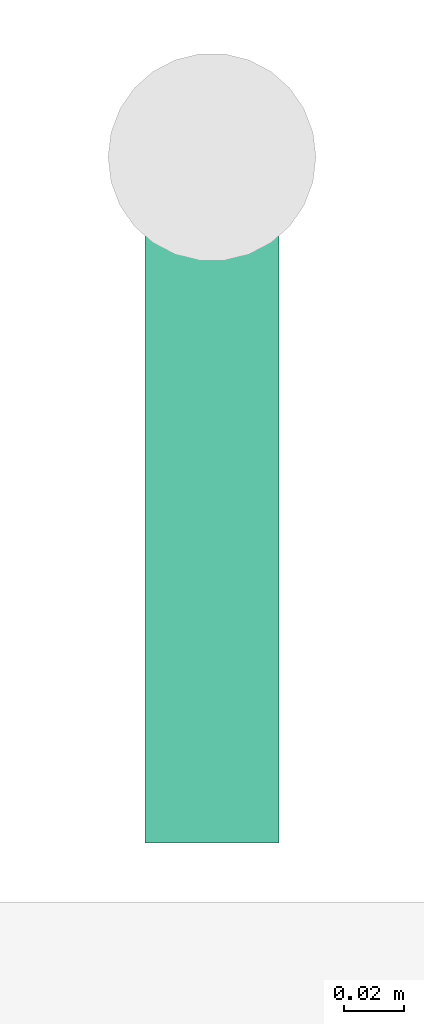
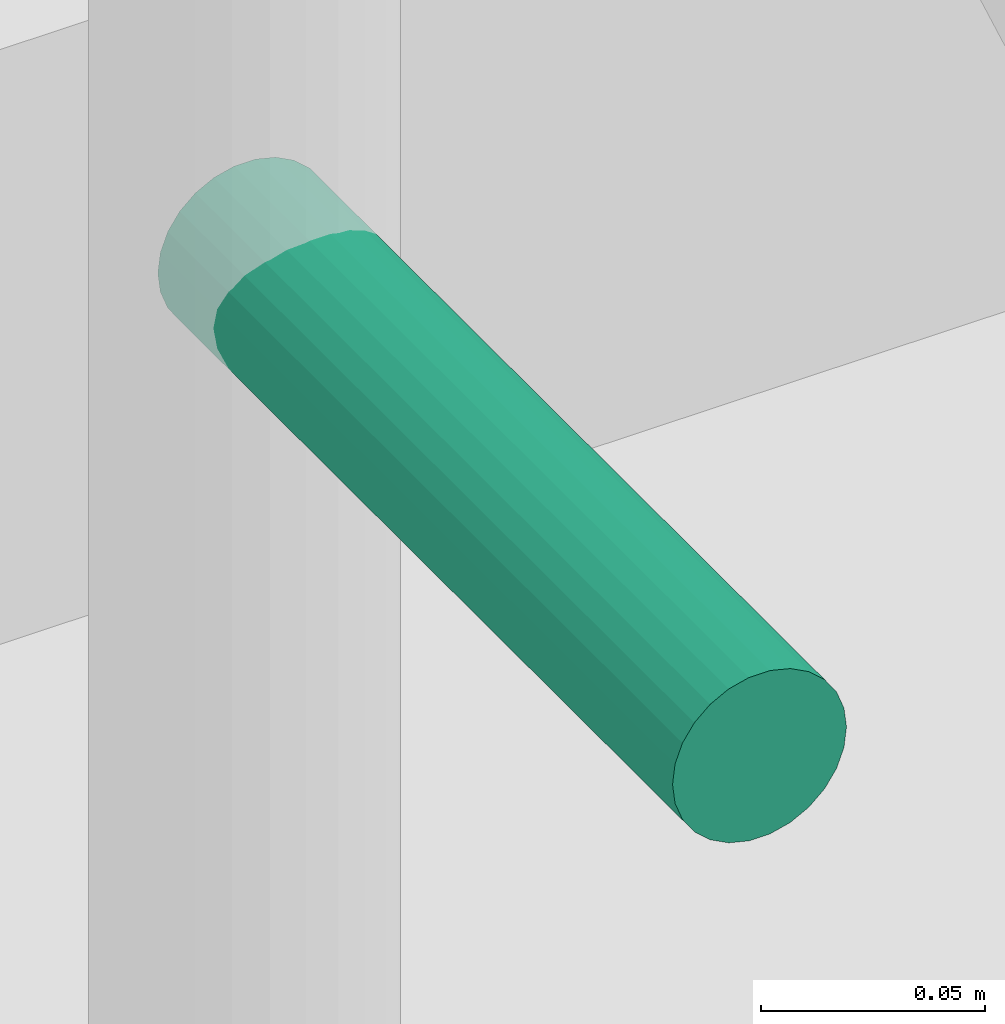
# One storey, part 44 of 45: 1 pipe fitting.
"""IFC4 building model written with IfcOpenShell, lengths in metres."""

from ifc_helpers import new_model, si_unit, direction, frame, origin, origin_2d, place, context, subcontext, project, spatial, circle, extrude, element, save


model = new_model("IFC4")

# Units and contexts
model_context = context("Model", 3, precision=1e-05, world=origin(), true_north=direction((0.0, 1.0)))
body_context = subcontext(model_context, "Body", "Model", "MODEL_VIEW")
ifc_project = project(units=[si_unit("LENGTHUNIT", "METRE"), si_unit("AREAUNIT", "SQUARE_METRE"), si_unit("VOLUMEUNIT", "CUBIC_METRE"), si_unit("PLANEANGLEUNIT", "RADIAN"), si_unit("MASSUNIT", "GRAM", prefix="KILO")], contexts=[model_context])

# Site, building, storey
site_placement = place(None, origin())
site = spatial("IfcSite", under=ifc_project, at=site_placement, CompositionType="ELEMENT")
building_placement = place(site_placement, origin())
building = spatial("IfcBuilding", under=site, at=building_placement, Name="Nzadi Deep Aquarium and Research Tower", CompositionType="ELEMENT")
storey_placement = place(building_placement, origin())
storey = spatial("IfcBuildingStorey", under=building, at=storey_placement, Name="G", CompositionType="ELEMENT", Elevation=0.0)

# Pipe fitting
pipe_fitting_placement = place(storey_placement, frame((55.300048828125, 116.360107421875, 1.10009765625), z_axis=(0.0, -1.0, 0.0), x_axis=(1.0, 0.0, 0.0)))
element("IfcPipeFitting", 1, at=pipe_fitting_placement, inside=storey, Name="Dry riser outlet ST-Z3-E G", PredefinedType="EXIT", context=body_context, shape_type="SweptSolid", body=[
    extrude(circle(Radius=0.0224609375, at=origin_2d()), origin(), (0.0, 0.0, 1.0), 0.230224609375),
])

save(model, "model.ifc")
